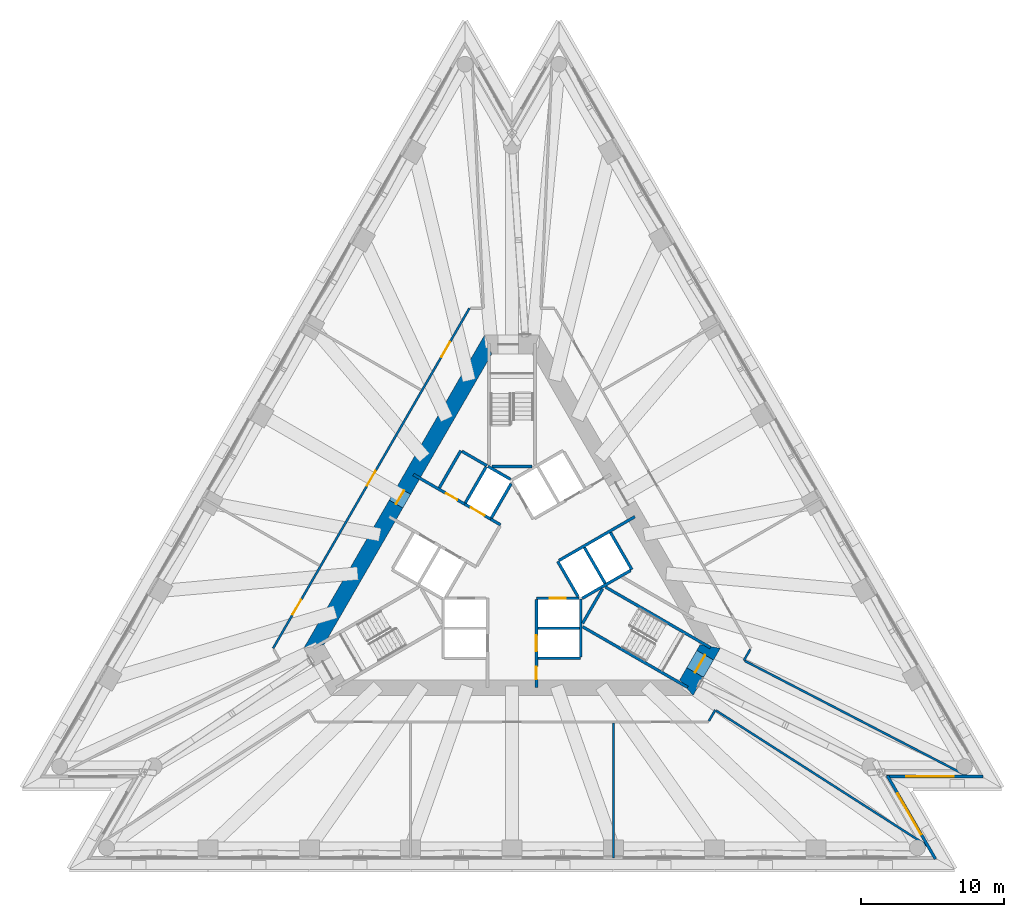
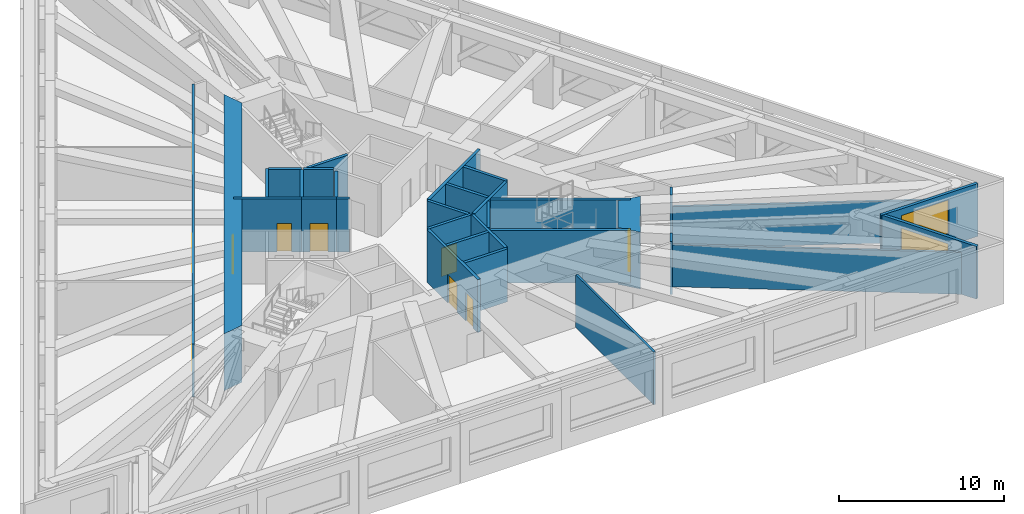
# One storey, part 8 of 13: 32 walls, 10 doors, 2 windows, 12 openings.
"""IFC4 building model written with IfcOpenShell, lengths in metres."""

from ifc_helpers import new_model, si_unit, direction, frame, frame_2d, origin, place, context, subcontext, project, spatial, polyline, rectangle, outline, extrude, material, layer, layer_set, layer_usage, type_object, element, fill, save


model = new_model("IFC4")

# Units and contexts
model_context = context("Model", 3, precision=1e-05, world=origin(), true_north=direction((0.0, 1.0)))
body_context = subcontext(model_context, "Body", "Model", "MODEL_VIEW")
ifc_project = project(units=[si_unit("LENGTHUNIT", "METRE"), si_unit("AREAUNIT", "SQUARE_METRE"), si_unit("VOLUMEUNIT", "CUBIC_METRE"), si_unit("PLANEANGLEUNIT", "RADIAN"), si_unit("MASSUNIT", "GRAM", prefix="KILO")], contexts=[model_context])

# Site, building, storey
site_placement = place(None, origin())
site = spatial("IfcSite", under=ifc_project, at=site_placement, CompositionType="ELEMENT")
building_placement = place(site_placement, origin())
building = spatial("IfcBuilding", under=site, at=building_placement, Name="Triada Interchange Tower", CompositionType="ELEMENT")
storey_placement = place(building_placement, frame((0.0, 0.0, 95.300048828125)))
storey = spatial("IfcBuildingStorey", under=building, at=storey_placement, Name="L21", CompositionType="ELEMENT", Elevation=95.300048828125)

# Walls
ifc_material_1 = material(Name="Concrete C30/37", Category="concrete")
ifc_layer_1 = layer(ifc_material_1, 0.199951171875)
ifc_layer_set_1 = layer_set([ifc_layer_1], Name="CORE WALL 200 EI 120")
wall_type_1 = type_object("IfcWallType", Name="CORE WALL 200 EI 120", PredefinedType="SOLIDWALL", material=ifc_layer_set_1)
wall_1_placement = place(storey_placement, frame((1.800048828125, -4.800048828125, 0.0), z_axis=(0.0, 0.0, 1.0), x_axis=(1.0, 0.0, 0.0)))
element("IfcWall", 1, at=wall_1_placement, inside=storey, type_object=wall_type_1, Name="Wall L21 25", PredefinedType="SOLIDWALL", context=body_context, shape_type="SweptSolid", body=[
    extrude(rectangle(XDim=2.89990234375, YDim=0.199951171875, at=frame_2d((1.449951171875, 0.0))), origin(), (0.0, 0.0, 1.0), 3.89990234375),
])
wall_2_placement = place(storey_placement, frame((1.800048828125, -6.89990234375, 0.0), z_axis=(0.0, 0.0, 1.0), x_axis=(1.0, 0.0, 0.0)))
element("IfcWall", 2, at=wall_2_placement, inside=storey, type_object=wall_type_1, Name="Wall L21 28", PredefinedType="SOLIDWALL", context=body_context, shape_type="SweptSolid", body=[
    extrude(rectangle(XDim=3.0, YDim=0.199951171875, at=frame_2d((1.5, 0.0))), origin(), (0.0, 0.0, 1.0), 3.89990234375),
])

# Wall, opening, door
wall_3_placement = place(storey_placement, frame((1.702880859375, -2.699951171875, 0.0), z_axis=(0.0, 0.0, 1.0), x_axis=(1.0, 0.0, 0.0)))
wall_3 = element("IfcWall", 3, at=wall_3_placement, inside=storey, type_object=wall_type_1, Name="Wall L21 31", PredefinedType="SOLIDWALL", context=body_context, shape_type="SweptSolid", body=[
    extrude(rectangle(XDim=2.97314453125, YDim=0.199951171875, at=frame_2d((1.486572265625, 0.0))), origin(), (0.0, 0.0, 1.0), 3.89990234375),
])
opening_1_placement = place(wall_3_placement, frame((0.93603515625, 0.0, 0.0)))
opening_1 = element("IfcOpeningElement", 4, at=opening_1_placement, cuts=wall_3, Name="Opening LD-LR1", PredefinedType="OPENING", context=body_context, shape_type="SweptSolid", body=[
    extrude(rectangle(XDim=1.10009765625, YDim=2.10009765625, at=frame_2d((0.550048828125, 1.050048828125))), frame((0.0, 0.10986328125, 0.0), z_axis=(0.0, -1.0, 0.0), x_axis=(1.0, 0.0, 0.0)), (0.0, 0.0, 1.0), 0.219970703125),
])
ifc_material_2 = material(Name="Steel S235 door leaf", Category="steel")
door_type_1 = type_object("IfcDoorType", Name="LIFT LANDING DOOR 1100 EI 120", OperationType="SLIDING_TO_LEFT", PredefinedType="DOOR", material=ifc_material_2)
door_1_placement = place(opening_1_placement, origin())
door_1 = element("IfcDoor", 5, at=door_1_placement, inside=storey, type_object=door_type_1, Name="LR1 landing door L21", OperationType="SLIDING_TO_LEFT", OverallHeight=2.10009765625, OverallWidth=1.10009765625, PredefinedType="DOOR", context=body_context, shape_type="SweptSolid", body=[
    extrude(rectangle(XDim=1.10009765625, YDim=2.10009765625, at=frame_2d((0.550048828125, 1.050048828125))), frame((0.0, 0.02490234375, 0.0), z_axis=(0.0, -1.0, 0.0), x_axis=(1.0, 0.0, 0.0)), (0.0, 0.0, 1.0), 0.050048828125),
])
fill(opening_1, door_1)

# Wall
wall_4_placement = place(storey_placement, frame((3.18994140625, -0.125, 0.0), z_axis=(0.0, 0.0, 1.0), x_axis=(0.499988658015, -0.866031951983, 0.0)))
element("IfcWall", 6, at=wall_4_placement, inside=storey, type_object=wall_type_1, Name="Wall L21 34", PredefinedType="SOLIDWALL", context=body_context, shape_type="SweptSolid", body=[
    extrude(rectangle(XDim=2.85791015625, YDim=0.199951171875, at=frame_2d((1.428955078125, 0.0))), origin(), (0.0, 0.0, 1.0), 3.89990234375),
])

# Wall, openings, doors
wall_5_placement = place(storey_placement, frame((1.699951171875, -8.929931640625, 0.0), z_axis=(0.0, 0.0, 1.0), x_axis=(0.0, 1.0, 0.0)))
wall_5 = element("IfcWall", 7, at=wall_5_placement, inside=storey, type_object=wall_type_1, Name="Wall L21 36", PredefinedType="SOLIDWALL", context=body_context, shape_type="SweptSolid", body=[
    extrude(rectangle(XDim=6.126953125, YDim=0.199951171875, at=frame_2d((3.0634765625, 0.0))), origin(), (0.0, 0.0, 1.0), 3.89990234375),
])
opening_2_placement = place(wall_5_placement, frame((2.530029296875, 0.0, 0.0)))
opening_2 = element("IfcOpeningElement", 8, at=opening_2_placement, cuts=wall_5, Name="Opening LD-LR2", PredefinedType="OPENING", context=body_context, shape_type="SweptSolid", body=[
    extrude(rectangle(XDim=1.10009765625, YDim=2.10009765625, at=frame_2d((0.550048828125, 1.050048828125))), frame((0.0, 0.10986328125, 0.0), z_axis=(0.0, -1.0, 0.0), x_axis=(1.0, 0.0, 0.0)), (0.0, 0.0, 1.0), 0.219970703125),
])
opening_3_placement = place(wall_5_placement, frame((0.554931640625, 0.0, 0.0)))
opening_3 = element("IfcOpeningElement", 9, at=opening_3_placement, cuts=wall_5, Name="Opening D21-25", PredefinedType="OPENING", context=body_context, shape_type="SweptSolid", body=[
    extrude(rectangle(XDim=0.89990234375, YDim=2.10009765625, at=frame_2d((0.449951171875, 1.050048828125))), frame((0.0, 0.10986328125, 0.0), z_axis=(0.0, -1.0, 0.0), x_axis=(1.0, 0.0, 0.0)), (0.0, 0.0, 1.0), 0.219970703125),
])
door_2_placement = place(opening_2_placement, origin())
door_2 = element("IfcDoor", 10, at=door_2_placement, inside=storey, type_object=door_type_1, Name="LR2 landing door L21", OperationType="SLIDING_TO_LEFT", OverallHeight=2.10009765625, OverallWidth=1.10009765625, PredefinedType="DOOR", context=body_context, shape_type="SweptSolid", body=[
    extrude(rectangle(XDim=1.10009765625, YDim=2.10009765625, at=frame_2d((0.550048828125, 1.050048828125))), frame((0.0, 0.02490234375, 0.0), z_axis=(0.0, -1.0, 0.0), x_axis=(1.0, 0.0, 0.0)), (0.0, 0.0, 1.0), 0.050048828125),
])
fill(opening_2, door_2)
door_type_2 = type_object("IfcDoorType", Name="SERVICE DOOR 900 EI2 45-C5S200", OperationType="NOTDEFINED", PredefinedType="DOOR", material=ifc_material_2)
door_3_placement = place(opening_3_placement, origin())
door_3 = element("IfcDoor", 11, at=door_3_placement, inside=storey, type_object=door_type_2, Name="Door D21-25 L21", OperationType="SINGLE_SWING_LEFT", OverallHeight=2.10009765625, OverallWidth=0.89990234375, PredefinedType="DOOR", context=body_context, shape_type="SweptSolid", body=[
    extrude(rectangle(XDim=0.89990234375, YDim=2.10009765625, at=frame_2d((0.449951171875, 1.050048828125))), frame((0.0, 0.02490234375, 0.0), z_axis=(0.0, -1.0, 0.0), x_axis=(1.0, 0.0, 0.0)), (0.0, 0.0, 1.0), 0.050048828125),
])
fill(opening_3, door_3)

# Walls
wall_6_placement = place(storey_placement, frame((4.800048828125, -6.800048828125, 0.0), z_axis=(0.0, 0.0, 1.0), x_axis=(0.0, 1.0, 0.0)))
element("IfcWall", 12, at=wall_6_placement, inside=storey, type_object=wall_type_1, Name="Wall L21 37", PredefinedType="SOLIDWALL", context=body_context, shape_type="SweptSolid", body=[
    extrude(rectangle(XDim=4.029052734375, YDim=0.199951171875, at=frame_2d((2.0146484375, 0.0))), origin(), (0.0, 0.0, 1.0), 3.89990234375),
])
wall_7_placement = place(storey_placement, frame((3.278076171875, -0.071044921875, 0.0), z_axis=(0.0, 0.0, 1.0), x_axis=(0.865983187006, 0.500073114477, 0.0)))
element("IfcWall", 13, at=wall_7_placement, inside=storey, type_object=wall_type_1, Name="Wall L21 38", PredefinedType="SOLIDWALL", context=body_context, shape_type="SweptSolid", body=[
    extrude(rectangle(XDim=6.126953125, YDim=0.199951171875, at=frame_2d((3.0634765625, 0.0))), origin(), (0.0, 0.0, 1.0), 3.89990234375),
])
wall_8_placement = place(storey_placement, frame((6.8759765625, 1.89111328125, 0.0), z_axis=(0.0, 0.0, 1.0), x_axis=(0.499990139034, -0.866031096941, 0.0)))
element("IfcWall", 14, at=wall_8_placement, inside=storey, type_object=wall_type_1, Name="Wall L21 40", PredefinedType="SOLIDWALL", context=body_context, shape_type="SweptSolid", body=[
    extrude(rectangle(XDim=3.0, YDim=0.199951171875, at=frame_2d((1.5, 0.0))), origin(), (0.0, 0.0, 1.0), 3.89990234375),
])
wall_9_placement = place(storey_placement, frame((5.056884765625, 0.841064453125, 0.0), z_axis=(0.0, 0.0, 1.0), x_axis=(0.50012328804, -0.865954211699, 0.0)))
element("IfcWall", 15, at=wall_9_placement, inside=storey, type_object=wall_type_1, Name="Wall L21 42", PredefinedType="SOLIDWALL", context=body_context, shape_type="SweptSolid", body=[
    extrude(rectangle(XDim=2.899658203125, YDim=0.199951171875, at=frame_2d((1.44970703125, 0.0))), origin(), (0.0, 0.0, 1.0), 3.89990234375),
])
wall_10_placement = place(storey_placement, frame((4.89990234375, -2.714111328125, 0.0), z_axis=(0.0, 0.0, 1.0), x_axis=(0.865992350556, 0.500057245502, 0.0)))
element("IfcWall", 16, at=wall_10_placement, inside=storey, type_object=wall_type_1, Name="Wall L21 43", PredefinedType="SOLIDWALL", context=body_context, shape_type="SweptSolid", body=[
    extrude(rectangle(XDim=3.91357421875, YDim=0.199951171875, at=frame_2d((1.956787109375, 0.0))), origin(), (0.0, 0.0, 1.0), 3.89990234375),
])

# Wall, opening, door
ifc_layer_2 = layer(ifc_material_1, 0.199951171875)
ifc_layer_set_2 = layer_set([ifc_layer_2], Name="CORE WALL 200 EI 180")
wall_type_2 = type_object("IfcWallType", Name="CORE WALL 200 EI 180", PredefinedType="SOLIDWALL", material=ifc_layer_set_2)
wall_11_placement = place(storey_placement, frame((-6.884033203125, 5.93701171875, 0.0), z_axis=(0.0, 0.0, 1.0), x_axis=(0.866075409494, -0.499913377567, 0.0)))
wall_11 = element("IfcWall", 17, at=wall_11_placement, inside=storey, type_object=wall_type_2, Name="Wall L21 46", PredefinedType="SOLIDWALL", context=body_context, shape_type="SweptSolid", body=[
    extrude(rectangle(XDim=4.132568359375, YDim=0.199951171875, at=frame_2d((2.06640625, 0.0))), origin(), (0.0, 0.0, 1.0), 3.89990234375),
])
opening_4_placement = place(wall_11_placement, frame((2.6298828125, 0.0, 0.0)))
opening_4 = element("IfcOpeningElement", 18, at=opening_4_placement, cuts=wall_11, Name="Opening D21-10", PredefinedType="OPENING", context=body_context, shape_type="SweptSolid", body=[
    extrude(rectangle(XDim=0.89990234375, YDim=2.10009765625, at=frame_2d((0.449951171875, 1.050048828125))), frame((0.0, 0.10986328125, 0.0), z_axis=(0.0, -1.0, 0.0), x_axis=(1.0, 0.0, 0.0)), (0.0, 0.0, 1.0), 0.219970703125),
])
door_type_3 = type_object("IfcDoorType", Name="SERVICE DOOR 900 EI2 90-C5S200", OperationType="NOTDEFINED", PredefinedType="DOOR", material=ifc_material_2)
door_4_placement = place(opening_4_placement, origin())
door_4 = element("IfcDoor", 19, at=door_4_placement, inside=storey, type_object=door_type_3, Name="Door D21-10 L21", OperationType="SINGLE_SWING_LEFT", OverallHeight=2.10009765625, OverallWidth=0.89990234375, PredefinedType="DOOR", context=body_context, shape_type="SweptSolid", body=[
    extrude(rectangle(XDim=0.89990234375, YDim=2.10009765625, at=frame_2d((0.449951171875, 1.050048828125))), frame((0.0, 0.02490234375, 0.0), z_axis=(0.0, -1.0, 0.0), x_axis=(1.0, 0.0, 0.0)), (0.0, 0.0, 1.0), 0.050048828125),
])
fill(opening_4, door_4)

# Walls
wall_12_placement = place(storey_placement, frame((-1.488037109375, 2.822021484375, 0.0), z_axis=(0.0, 0.0, 1.0), x_axis=(0.866236612152, -0.499633997809, 0.0)))
element("IfcWall", 20, at=wall_12_placement, inside=storey, type_object=wall_type_2, Name="Wall L21 47", PredefinedType="SOLIDWALL", context=body_context, shape_type="SweptSolid", body=[
    extrude(rectangle(XDim=0.79638671875, YDim=0.199951171875, at=frame_2d((0.398193359375, 0.0))), origin(), (0.0, 0.0, 1.0), 3.89990234375),
])
wall_13_placement = place(storey_placement, frame((-5.075927734375, 5.009033203125, 0.0), z_axis=(0.0, 0.0, 1.0), x_axis=(0.50002537861, 0.866010750942, 0.0)))
element("IfcWall", 21, at=wall_13_placement, inside=storey, type_object=wall_type_2, Name="Wall L21 48", PredefinedType="SOLIDWALL", context=body_context, shape_type="SweptSolid", body=[
    extrude(rectangle(XDim=2.999755859375, YDim=0.199951171875, at=frame_2d((1.5, 0.0))), origin(), (0.0, 0.0, 1.0), 3.89990234375),
])
wall_14_placement = place(storey_placement, frame((-3.489013671875, 7.556884765625, 0.0), z_axis=(0.0, 0.0, 1.0), x_axis=(0.866010750942, -0.50002537861, 0.0)))
element("IfcWall", 22, at=wall_14_placement, inside=storey, type_object=wall_type_2, Name="Wall L21 49", PredefinedType="SOLIDWALL", context=body_context, shape_type="SweptSolid", body=[
    extrude(rectangle(XDim=2.0, YDim=0.199951171875, at=frame_2d((1.0, 0.0))), origin(), (0.0, 0.0, 1.0), 3.89990234375),
])

# Wall, opening, door
wall_15_placement = place(storey_placement, frame((-3.30908203125, 3.873046875, 0.0), z_axis=(0.0, 0.0, 1.0), x_axis=(0.866098583652, -0.499873227325, 0.0)))
wall_15 = element("IfcWall", 23, at=wall_15_placement, inside=storey, type_object=wall_type_2, Name="Shaft wall FF2 L21 55", PredefinedType="SOLIDWALL", context=body_context, shape_type="SweptSolid", body=[
    extrude(rectangle(XDim=2.1025390625, YDim=0.199951171875, at=frame_2d((1.05126953125, 0.0))), origin(), (0.0, 0.0, 1.0), 3.89990234375),
])
opening_5_placement = place(wall_15_placement, frame((0.501953125, 0.0, 0.0)))
opening_5 = element("IfcOpeningElement", 24, at=opening_5_placement, cuts=wall_15, Name="Opening LD-FF2", PredefinedType="OPENING", context=body_context, shape_type="SweptSolid", body=[
    extrude(rectangle(XDim=1.10009765625, YDim=2.10009765625, at=frame_2d((0.550048828125, 1.050048828125))), frame((0.0, 0.10986328125, 0.0), z_axis=(0.0, -1.0, 0.0), x_axis=(1.0, 0.0, 0.0)), (0.0, 0.0, 1.0), 0.219970703125),
])
door_5_placement = place(opening_5_placement, origin())
door_5 = element("IfcDoor", 25, at=door_5_placement, inside=storey, type_object=door_type_1, Name="FF2 landing door L21", OperationType="SLIDING_TO_LEFT", OverallHeight=2.10009765625, OverallWidth=1.10009765625, PredefinedType="DOOR", context=body_context, shape_type="SweptSolid", body=[
    extrude(rectangle(XDim=1.10009765625, YDim=2.10009765625, at=frame_2d((0.550048828125, 1.050048828125))), frame((0.0, 0.02490234375, 0.0), z_axis=(0.0, -1.0, 0.0), x_axis=(1.0, 0.0, 0.0)), (0.0, 0.0, 1.0), 0.050048828125),
])
fill(opening_5, door_5)

# Walls
wall_16_placement = place(storey_placement, frame((-3.257080078125, 3.958984375, 0.0), z_axis=(0.0, 0.0, 1.0), x_axis=(0.50012328804, 0.865954211699, 0.0)))
element("IfcWall", 26, at=wall_16_placement, inside=storey, type_object=wall_type_2, Name="Shaft wall FF2 L21 56", PredefinedType="SOLIDWALL", context=body_context, shape_type="SweptSolid", body=[
    extrude(rectangle(XDim=2.899658203125, YDim=0.199951171875, at=frame_2d((1.44970703125, 0.0))), origin(), (0.0, 0.0, 1.0), 3.89990234375),
])
wall_17_placement = place(storey_placement, frame((-1.669921875, 6.507080078125, 0.0), z_axis=(0.0, 0.0, 1.0), x_axis=(0.865941441609, -0.500145398563, 0.0)))
element("IfcWall", 27, at=wall_17_placement, inside=storey, type_object=wall_type_2, Name="Shaft wall FF2 L21 57", PredefinedType="SOLIDWALL", context=body_context, shape_type="SweptSolid", body=[
    extrude(rectangle(XDim=1.8154296875, YDim=0.199951171875, at=frame_2d((0.90771484375, 0.0))), origin(), (0.0, 0.0, 1.0), 3.89990234375),
])
wall_18_placement = place(storey_placement, frame((-1.43798828125, 2.908935546875, 0.0), z_axis=(0.0, 0.0, 1.0), x_axis=(0.499829630636, 0.866123744241, 0.0)))
element("IfcWall", 28, at=wall_18_placement, inside=storey, type_object=wall_type_2, Name="Shaft wall FF2 L21 58", PredefinedType="SOLIDWALL", context=body_context, shape_type="SweptSolid", body=[
    extrude(rectangle(XDim=2.7607421875, YDim=0.199951171875, at=frame_2d((1.38037109375, 0.0))), origin(), (0.0, 0.0, 1.0), 3.89990234375),
])
ifc_layer_3 = layer(ifc_material_1, 0.199951171875)
ifc_layer_set_3 = layer_set([ifc_layer_3], Name="CORE WALL 200 REI 240")
wall_type_3 = type_object("IfcWallType", Name="CORE WALL 200 REI 240", PredefinedType="SOLIDWALL", material=ifc_layer_set_3)
wall_19_placement = place(storey_placement, frame((-1.39990234375, 6.5, 0.0), z_axis=(0.0, 0.0, 1.0), x_axis=(1.0, 0.0, 0.0)))
element("IfcWall", 29, at=wall_19_placement, inside=storey, type_object=wall_type_3, Name="Wall L21 64", PredefinedType="SOLIDWALL", context=body_context, shape_type="SweptSolid", body=[
    extrude(rectangle(XDim=2.7998046875, YDim=0.199951171875, at=frame_2d((1.39990234375, 0.0))), origin(), (0.0, 0.0, 1.0), 3.89990234375),
])
wall_20_placement = place(storey_placement, frame((4.928955078125, -4.693115234375, 0.0), z_axis=(0.0, 0.0, 1.0), x_axis=(0.866018130586, -0.500012597338, 0.0)))
element("IfcWall", 30, at=wall_20_placement, inside=storey, type_object=wall_type_3, Name="Wall L21 66", PredefinedType="SOLIDWALL", context=body_context, shape_type="SweptSolid", body=[
    extrude(rectangle(XDim=8.473388671875, YDim=0.199951171875, at=frame_2d((4.23681640625, 0.0))), origin(), (0.0, 0.0, 1.0), 3.89990234375),
])
wall_21_placement = place(storey_placement, frame((4.928955078125, -4.4619140625, 0.0), z_axis=(0.0, 0.0, 1.0), x_axis=(0.500200581029, 0.865909567298, 0.0)))
element("IfcWall", 31, at=wall_21_placement, inside=storey, type_object=wall_type_3, Name="Wall L21 67", PredefinedType="SOLIDWALL", context=body_context, shape_type="SweptSolid", body=[
    extrude(rectangle(XDim=2.799072265625, YDim=0.199951171875, at=frame_2d((1.3994140625, 0.0))), origin(), (0.0, 0.0, 1.0), 3.89990234375),
])
wall_22_placement = place(storey_placement, frame((6.529052734375, -1.922119140625, 0.0), z_axis=(0.0, 0.0, 1.0), x_axis=(0.866010926821, -0.500025073997, 0.0)))
element("IfcWall", 32, at=wall_22_placement, inside=storey, type_object=wall_type_3, Name="Wall L21 68", PredefinedType="SOLIDWALL", context=body_context, shape_type="SweptSolid", body=[
    extrude(rectangle(XDim=8.47314453125, YDim=0.199951171875, at=frame_2d((4.236572265625, 0.0))), origin(), (0.0, 0.0, 1.0), 3.89990234375),
])

# Wall, opening, door
ifc_material_3 = material(Name="Concrete C70/85", Category="concrete")
ifc_layer_4 = layer(ifc_material_3, 1.10009765625)
ifc_layer_set_4 = layer_set([ifc_layer_4], Name="Core wall A 1100")
wall_type_4 = type_object("IfcWallType", Name="Core wall A 1100", PredefinedType="SHEAR", material=ifc_layer_set_4)
wall_23_placement = place(storey_placement, frame((-1.659912109375, 15.02490234375, -0.300048828125), z_axis=(0.0, 0.0, 1.0), x_axis=(-0.500003780125, -0.866023221317, 0.0)))
wall_23 = element("IfcWall", 33, at=wall_23_placement, inside=storey, type_object=wall_type_4, Name="Core wall WA02 L21", PredefinedType="SHEAR", context=body_context, shape_type="SweptSolid", body=[
    extrude(outline(polyline([(-0.4619140625, -0.550048828125), (1.4833984375, -0.550048828125), (3.428466796875, -0.550048828125), (5.373779296875, -0.550048828125), (7.31884765625, -0.550048828125), (9.26416015625, -0.550048828125), (11.20947265625, -0.550048828125), (13.154541015625, -0.550048828125), (15.099853515625, -0.550048828125), (17.045166015625, -0.550048828125), (18.990234375, -0.550048828125), (20.935546875, -0.550048828125), (22.880615234375, -0.550048828125), (24.825927734375, -0.550048828125), (23.902099609375, 0.550048828125), (21.94873046875, 0.550048828125), (19.995361328125, 0.550048828125), (18.0419921875, 0.550048828125), (16.088623046875, 0.550048828125), (14.13525390625, 0.550048828125), (12.18212890625, 0.550048828125), (10.228759765625, 0.550048828125), (8.275390625, 0.550048828125), (6.322021484375, 0.550048828125), (4.36865234375, 0.550048828125), (2.415283203125, 0.550048828125), (0.4619140625, 0.550048828125), (-0.4619140625, -0.550048828125)])), origin(), (0.0, 0.0, 1.0), 4.199951171875),
])
opening_6_placement = place(wall_23_placement, frame((11.77587890625, 0.0, 0.300048828125)))
opening_6 = element("IfcOpeningElement", 34, at=opening_6_placement, cuts=wall_23, Name="Opening D21-24", PredefinedType="OPENING", context=body_context, shape_type="SweptSolid", body=[
    extrude(rectangle(XDim=1.10009765625, YDim=2.10009765625, at=frame_2d((0.550048828125, 1.050048828125))), frame((0.0, 0.56005859375, 0.0), z_axis=(0.0, -1.0, 0.0), x_axis=(1.0, 0.0, 0.0)), (0.0, 0.0, 1.0), 1.1201171875),
])
door_type_4 = type_object("IfcDoorType", Name="FIRE LOBBY DOOR 1100 EI2 90-C5S200", OperationType="NOTDEFINED", PredefinedType="DOOR", material=ifc_material_2)
door_6_placement = place(opening_6_placement, origin())
door_6 = element("IfcDoor", 35, at=door_6_placement, inside=storey, type_object=door_type_4, Name="Door D21-24 L21", OperationType="SINGLE_SWING_LEFT", OverallHeight=2.10009765625, OverallWidth=1.10009765625, PredefinedType="DOOR", context=body_context, shape_type="SweptSolid", body=[
    extrude(rectangle(XDim=1.10009765625, YDim=2.10009765625, at=frame_2d((0.550048828125, 1.050048828125))), frame((0.0, 0.02490234375, 0.0), z_axis=(0.0, -1.0, 0.0), x_axis=(1.0, 0.0, 0.0)), (0.0, 0.0, 1.0), 0.050048828125),
])
fill(opening_6, door_6)

ifc_layer_5 = layer(ifc_material_3, 1.35009765625)
ifc_layer_set_5 = layer_set([ifc_layer_5], Name="Core wall A 1350")
wall_type_5 = type_object("IfcWallType", Name="Core wall A 1350", PredefinedType="SHEAR", material=ifc_layer_set_5)
wall_24_placement = place(storey_placement, frame((12.181884765625, -8.949951171875, -0.300048828125), z_axis=(0.0, 0.0, 1.0), x_axis=(0.500061949227, 0.865989634427, 0.0)))
wall_24 = element("IfcWall", 36, at=wall_24_placement, inside=storey, type_object=wall_type_5, Name="Core wall WA05 L21", PredefinedType="SHEAR", context=body_context, shape_type="SweptSolid", body=[
    extrude(outline(polyline([(-0.2451171875, -0.675048828125), (1.659912109375, -0.675048828125), (3.56494140625, -0.675048828125), (3.074951171875, 0.675048828125), (1.66015625, 0.675048828125), (0.2451171875, 0.675048828125), (-0.2451171875, -0.675048828125)])), origin(), (0.0, 0.0, 1.0), 4.199951171875),
])
opening_7_placement = place(wall_24_placement, frame((1.220947265625, 0.0, 0.300048828125)))
opening_7 = element("IfcOpeningElement", 37, at=opening_7_placement, cuts=wall_24, Name="Opening D21-23", PredefinedType="OPENING", context=body_context, shape_type="SweptSolid", body=[
    extrude(rectangle(XDim=1.39990234375, YDim=2.10009765625, at=frame_2d((0.699951171875, 1.050048828125))), frame((0.0, 0.68505859375, 0.0), z_axis=(0.0, -1.0, 0.0), x_axis=(1.0, 0.0, 0.0)), (0.0, 0.0, 1.0), 1.3701171875),
])
door_type_5 = type_object("IfcDoorType", Name="STAIR DOOR 1400 EI2 90-C5S200", OperationType="DOUBLE_DOOR_SINGLE_SWING", PredefinedType="DOOR", material=ifc_material_2)
door_7_placement = place(opening_7_placement, origin())
door_7 = element("IfcDoor", 38, at=door_7_placement, inside=storey, type_object=door_type_5, Name="Door D21-23 L21", OperationType="DOUBLE_DOOR_SINGLE_SWING", OverallHeight=2.10009765625, OverallWidth=1.39990234375, PredefinedType="DOOR", context=body_context, shape_type="SweptSolid", body=[
    extrude(rectangle(XDim=1.39990234375, YDim=2.10009765625, at=frame_2d((0.699951171875, 1.050048828125))), frame((0.0, 0.02490234375, 0.0), z_axis=(0.0, -1.0, 0.0), x_axis=(1.0, 0.0, 0.0)), (0.0, 0.0, 1.0), 0.050048828125),
])
fill(opening_7, door_7)

# Wall, opening, window
ifc_material_4 = material(Name="Cement board")
ifc_layer_6 = layer(ifc_material_4, 0.02001953125, Name="Cement board cladding")
ifc_material_5 = material(Name="Sheathing board")
ifc_layer_7 = layer(ifc_material_5, 0.014892578125, Name="Sheathing board")
ifc_material_6 = material(Name="Mineral wool")
ifc_layer_8 = layer(ifc_material_6, 0.14990234375, Name="Mineral wool between steel studs")
ifc_material_7 = material(Name="Gypsum board")
ifc_layer_9 = layer(ifc_material_7, 0.014892578125, Name="Plasterboard lining")
ifc_layer_set_6 = layer_set([ifc_layer_6, ifc_layer_7, ifc_layer_8, ifc_layer_9], Name="External wall 200")
ifc_layer_usage = layer_usage(ifc_layer_set_6, "AXIS2", "POSITIVE", -0.10009765625)
wall_type_6 = type_object("IfcWallType", Name="External wall 200", PredefinedType="ELEMENTEDWALL", material=ifc_layer_set_6)
wall_25_placement = place(storey_placement, frame((29.576904296875, -20.9150390625, 0.0), z_axis=(0.0, 0.0, 1.0), x_axis=(-0.499914325741, 0.866074862191, 0.0)))
wall_25 = element("IfcWall", 39, at=wall_25_placement, inside=storey, type_object=wall_type_6, material=ifc_layer_usage, Name="External wall L21 SE-1", PredefinedType="ELEMENTEDWALL", context=body_context, shape_type="SweptSolid", body=[
    extrude(rectangle(XDim=6.718994140625, YDim=0.199951171875, at=frame_2d((3.359375, 0.0))), origin(), (0.0, 0.0, 1.0), 3.89990234375),
])
opening_8_placement = place(wall_25_placement, frame((1.989990234375, 0.0, 0.89990234375)))
opening_8 = element("IfcOpeningElement", 40, at=opening_8_placement, cuts=wall_25, Name="Opening WA19", PredefinedType="OPENING", context=body_context, shape_type="SweptSolid", body=[
    extrude(rectangle(XDim=3.300048828125, YDim=2.5, at=frame_2d((1.64990234375, 1.25))), frame((0.0, 0.10986328125, 0.0), z_axis=(0.0, -1.0, 0.0), x_axis=(1.0, 0.0, 0.0)), (0.0, 0.0, 1.0), 0.219970703125),
])
ifc_material_8 = material(Name="Double glazed aluminium window", Category="aluminium")
window_type = type_object("IfcWindowType", Name="Ribbon window A pocket", PartitioningType="SINGLE_PANEL", PredefinedType="WINDOW", material=ifc_material_8)
window_1_placement = place(opening_8_placement, origin())
window_1 = element("IfcWindow", 41, at=window_1_placement, inside=storey, type_object=window_type, Name="Window L21 SE-1 1", OverallHeight=2.5, OverallWidth=3.300048828125, PartitioningType="SINGLE_PANEL", PredefinedType="WINDOW", context=body_context, shape_type="SweptSolid", body=[
    extrude(rectangle(XDim=3.300048828125, YDim=2.5, at=frame_2d((1.64990234375, 1.25))), frame((0.0, 0.030029296875, 0.0), z_axis=(0.0, -1.0, 0.0), x_axis=(1.0, 0.0, 0.0)), (0.0, 0.0, 1.0), 0.06005859375),
])
fill(opening_8, window_1)

wall_26_placement = place(storey_placement, frame((26.1630859375, -15.156982421875, 0.0), z_axis=(0.0, 0.0, 1.0), x_axis=(1.0, 0.0, 0.0)))
wall_26 = element("IfcWall", 42, at=wall_26_placement, inside=storey, type_object=wall_type_6, material=ifc_layer_usage, Name="External wall L21 SE-2", PredefinedType="ELEMENTEDWALL", context=body_context, shape_type="SweptSolid", body=[
    extrude(rectangle(XDim=6.718994140625, YDim=0.199951171875, at=frame_2d((3.359375, 0.0))), origin(), (0.0, 0.0, 1.0), 3.89990234375),
])
opening_9_placement = place(wall_26_placement, frame((1.389892578125, 0.0, 0.89990234375)))
opening_9 = element("IfcOpeningElement", 43, at=opening_9_placement, cuts=wall_26, Name="Opening WA20", PredefinedType="OPENING", context=body_context, shape_type="SweptSolid", body=[
    extrude(rectangle(XDim=3.300048828125, YDim=2.5, at=frame_2d((1.64990234375, 1.25))), frame((0.0, 0.10986328125, 0.0), z_axis=(0.0, -1.0, 0.0), x_axis=(1.0, 0.0, 0.0)), (0.0, 0.0, 1.0), 0.219970703125),
])
window_2_placement = place(opening_9_placement, origin())
window_2 = element("IfcWindow", 44, at=window_2_placement, inside=storey, type_object=window_type, Name="Window L21 SE-2 1", OverallHeight=2.5, OverallWidth=3.300048828125, PartitioningType="SINGLE_PANEL", PredefinedType="WINDOW", context=body_context, shape_type="SweptSolid", body=[
    extrude(rectangle(XDim=3.300048828125, YDim=2.5, at=frame_2d((1.64990234375, 1.25))), frame((0.0, 0.030029296875, 0.0), z_axis=(0.0, -1.0, 0.0), x_axis=(1.0, 0.0, 0.0)), (0.0, 0.0, 1.0), 0.06005859375),
])
fill(opening_9, window_2)

# Wall, openings, doors
ifc_material_9 = material(Name="Gypsum board partition")
ifc_layer_10 = layer(ifc_material_9, 0.14990234375)
ifc_layer_set_7 = layer_set([ifc_layer_10], Name="PARTITION 150 EI 180")
wall_type_7 = type_object("IfcWallType", Name="PARTITION 150 EI 180", PredefinedType="PARTITIONING", material=ifc_layer_set_7)
wall_27_placement = place(storey_placement, frame((-16.68505859375, -6.199951171875, 0.0), z_axis=(0.0, 0.0, 1.0), x_axis=(0.500002442456, 0.866023993627, 0.0)))
wall_27 = element("IfcWall", 45, at=wall_27_placement, inside=storey, type_object=wall_type_7, Name="Wall L21 1", PredefinedType="PARTITIONING", context=body_context, shape_type="SweptSolid", body=[
    extrude(rectangle(XDim=27.424072265625, YDim=0.14990234375, at=frame_2d((13.7119140625, 0.0))), origin(), (0.0, 0.0, 1.0), 3.89990234375),
])
opening_10_placement = place(wall_27_placement, frame((23.508056640625, 0.0, 0.0)))
opening_10 = element("IfcOpeningElement", 46, at=opening_10_placement, cuts=wall_27, Name="Opening D21-17", PredefinedType="OPENING", context=body_context, shape_type="SweptSolid", body=[
    extrude(rectangle(XDim=1.199951171875, YDim=2.10009765625, at=frame_2d((0.60009765625, 1.050048828125))), frame((0.0, 0.0849609375, 0.0), z_axis=(0.0, -1.0, 0.0), x_axis=(1.0, 0.0, 0.0)), (0.0, 0.0, 1.0), 0.169921875),
])
opening_11_placement = place(wall_27_placement, frame((13.112060546875, 0.0, 0.0)))
opening_11 = element("IfcOpeningElement", 47, at=opening_11_placement, cuts=wall_27, Name="Opening D21-18", PredefinedType="OPENING", context=body_context, shape_type="SweptSolid", body=[
    extrude(rectangle(XDim=1.199951171875, YDim=2.10009765625, at=frame_2d((0.60009765625, 1.050048828125))), frame((0.0, 0.0849609375, 0.0), z_axis=(0.0, -1.0, 0.0), x_axis=(1.0, 0.0, 0.0)), (0.0, 0.0, 1.0), 0.169921875),
])
opening_12_placement = place(wall_27_placement, frame((2.716064453125, 0.0, 0.0)))
opening_12 = element("IfcOpeningElement", 48, at=opening_12_placement, cuts=wall_27, Name="Opening D21-19", PredefinedType="OPENING", context=body_context, shape_type="SweptSolid", body=[
    extrude(rectangle(XDim=1.199951171875, YDim=2.10009765625, at=frame_2d((0.60009765625, 1.050048828125))), frame((0.0, 0.0849609375, 0.0), z_axis=(0.0, -1.0, 0.0), x_axis=(1.0, 0.0, 0.0)), (0.0, 0.0, 1.0), 0.169921875),
])
door_type_6 = type_object("IfcDoorType", Name="DOUBLE ROOM DOOR 1200 EI2 45-C5S200", OperationType="DOUBLE_DOOR_SINGLE_SWING", PredefinedType="DOOR", material=ifc_material_2)
door_8_placement = place(opening_11_placement, origin())
door_8 = element("IfcDoor", 49, at=door_8_placement, inside=storey, type_object=door_type_6, Name="Door D21-18 L21", OperationType="DOUBLE_DOOR_SINGLE_SWING", OverallHeight=2.10009765625, OverallWidth=1.199951171875, PredefinedType="DOOR", context=body_context, shape_type="SweptSolid", body=[
    extrude(rectangle(XDim=1.199951171875, YDim=2.10009765625, at=frame_2d((0.60009765625, 1.050048828125))), frame((0.0, 0.02490234375, 0.0), z_axis=(0.0, -1.0, 0.0), x_axis=(1.0, 0.0, 0.0)), (0.0, 0.0, 1.0), 0.050048828125),
])
fill(opening_11, door_8)
door_9_placement = place(opening_12_placement, origin())
door_9 = element("IfcDoor", 50, at=door_9_placement, inside=storey, type_object=door_type_6, Name="Door D21-19 L21", OperationType="DOUBLE_DOOR_SINGLE_SWING", OverallHeight=2.10009765625, OverallWidth=1.199951171875, PredefinedType="DOOR", context=body_context, shape_type="SweptSolid", body=[
    extrude(rectangle(XDim=1.199951171875, YDim=2.10009765625, at=frame_2d((0.60009765625, 1.050048828125))), frame((0.0, 0.02490234375, 0.0), z_axis=(0.0, -1.0, 0.0), x_axis=(1.0, 0.0, 0.0)), (0.0, 0.0, 1.0), 0.050048828125),
])
fill(opening_12, door_9)
door_type_7 = type_object("IfcDoorType", Name="DOUBLE ROOM DOOR 1200 EI2 90-C5S200", OperationType="DOUBLE_DOOR_SINGLE_SWING", PredefinedType="DOOR", material=ifc_material_2)
door_10_placement = place(opening_10_placement, origin())
door_10 = element("IfcDoor", 51, at=door_10_placement, inside=storey, type_object=door_type_7, Name="Door D21-17 L21", OperationType="DOUBLE_DOOR_SINGLE_SWING", OverallHeight=2.10009765625, OverallWidth=1.199951171875, PredefinedType="DOOR", context=body_context, shape_type="SweptSolid", body=[
    extrude(rectangle(XDim=1.199951171875, YDim=2.10009765625, at=frame_2d((0.60009765625, 1.050048828125))), frame((0.0, 0.02490234375, 0.0), z_axis=(0.0, -1.0, 0.0), x_axis=(1.0, 0.0, 0.0)), (0.0, 0.0, 1.0), 0.050048828125),
])
fill(opening_10, door_10)

# Walls
wall_28_placement = place(storey_placement, frame((7.080078125, -20.8369140625, 0.0), z_axis=(0.0, 0.0, 1.0), x_axis=(0.0, 1.0, 0.0)))
element("IfcWall", 52, at=wall_28_placement, inside=storey, type_object=wall_type_7, Name="Wall L21 16", PredefinedType="PARTITIONING", context=body_context, shape_type="SweptSolid", body=[
    extrude(rectangle(XDim=9.411865234375, YDim=0.14990234375, at=frame_2d((4.7060546875, 0.0))), origin(), (0.0, 0.0, 1.0), 3.89990234375),
])
wall_29_placement = place(storey_placement, frame((13.7548828125, -11.27490234375, 0.0), z_axis=(0.0, 0.0, 1.0), x_axis=(0.500577563191, 0.865691690632, 0.0)))
element("IfcWall", 53, at=wall_29_placement, inside=storey, type_object=wall_type_7, Name="Wall L21 17", PredefinedType="PARTITIONING", context=body_context, shape_type="SweptSolid", body=[
    extrude(rectangle(XDim=0.88134765625, YDim=0.14990234375, at=frame_2d((0.440673828125, 0.0))), origin(), (0.0, 0.0, 1.0), 3.89990234375),
])
wall_30_placement = place(storey_placement, frame((16.198974609375, -7.04296875, 0.0), z_axis=(0.0, 0.0, 1.0), x_axis=(0.49972245349, 0.866185586049, 0.0)))
element("IfcWall", 54, at=wall_30_placement, inside=storey, type_object=wall_type_7, Name="Wall L21 18", PredefinedType="PARTITIONING", context=body_context, shape_type="SweptSolid", body=[
    extrude(rectangle(XDim=0.88671875, YDim=0.14990234375, at=frame_2d((0.443359375, 0.0))), origin(), (0.0, 0.0, 1.0), 3.89990234375),
])
wall_31_placement = place(storey_placement, frame((14.259033203125, -10.552978515625, 0.0), z_axis=(0.0, 0.0, 1.0), x_axis=(0.842155907039, -0.539234112644, 0.0)))
element("IfcWall", 55, at=wall_31_placement, inside=storey, type_object=wall_type_7, Name="Wall L21 19", PredefinedType="PARTITIONING", context=body_context, shape_type="SweptSolid", body=[
    extrude(rectangle(XDim=17.5859375, YDim=0.14990234375, at=frame_2d((8.79296875, 0.0))), origin(), (0.0, 0.0, 1.0), 3.099853515625),
])
wall_32_placement = place(storey_placement, frame((16.264892578125, -7.077880859375, 0.0), z_axis=(0.0, 0.0, 1.0), x_axis=(0.887886216107, -0.460063112243, 0.0)))
element("IfcWall", 56, at=wall_32_placement, inside=storey, type_object=wall_type_7, Name="Wall L21 21", PredefinedType="PARTITIONING", context=body_context, shape_type="SweptSolid", body=[
    extrude(rectangle(XDim=17.560791015625, YDim=0.14990234375, at=frame_2d((8.7802734375, 0.0))), origin(), (0.0, 0.0, 1.0), 3.099853515625),
])

save(model, "model.ifc")
